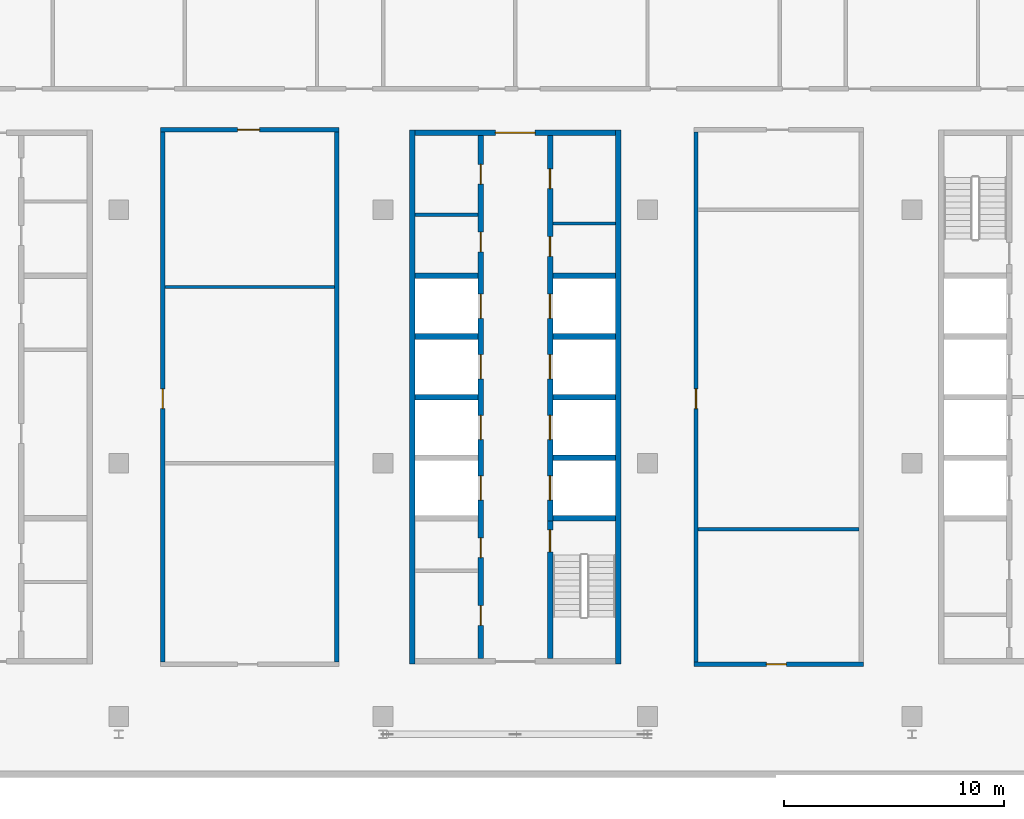
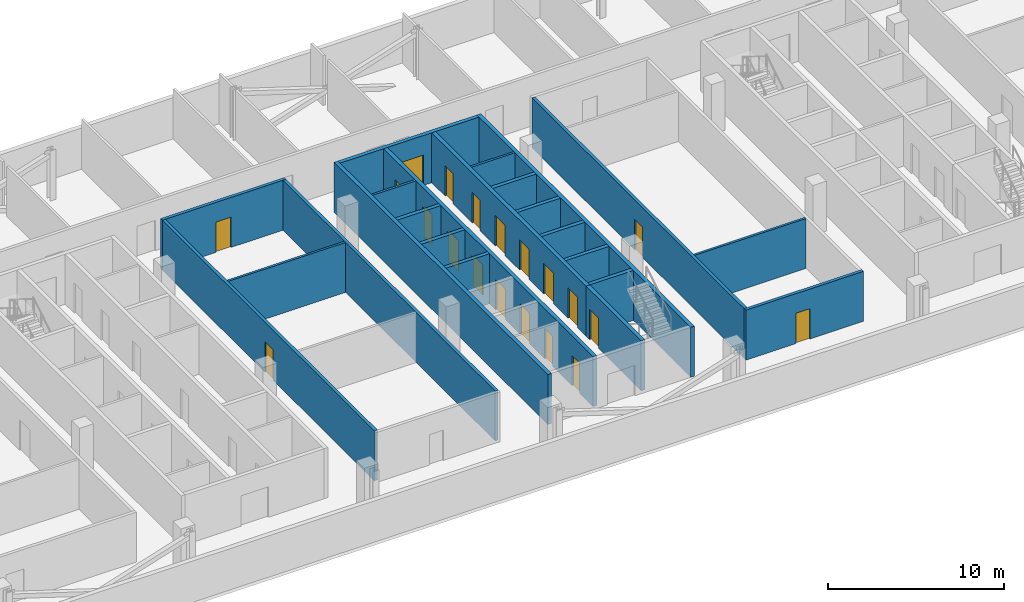
# One storey, part 14 of 30: 23 walls, 20 doors, 20 openings.
"""IFC4 building model written with IfcOpenShell, lengths in metres."""

from ifc_helpers import new_model, si_unit, direction, frame, frame_2d, origin, place, context, subcontext, project, spatial, rectangle, extrude, material, layer, layer_set, type_object, element, fill, save


model = new_model("IFC4")

# Units and contexts
model_context = context("Model", 3, precision=1e-05, world=origin(), true_north=direction((0.0, 1.0)))
body_context = subcontext(model_context, "Body", "Model", "MODEL_VIEW")
ifc_project = project(units=[si_unit("LENGTHUNIT", "METRE"), si_unit("AREAUNIT", "SQUARE_METRE"), si_unit("VOLUMEUNIT", "CUBIC_METRE"), si_unit("PLANEANGLEUNIT", "RADIAN"), si_unit("MASSUNIT", "GRAM", prefix="KILO")], contexts=[model_context])

# Site, building, storey
site_placement = place(None, origin())
site = spatial("IfcSite", under=ifc_project, at=site_placement, CompositionType="ELEMENT")
building_placement = place(site_placement, origin())
building = spatial("IfcBuilding", under=site, at=building_placement, Name="Mahtab Terrace Research Tower", CompositionType="ELEMENT")
storey_placement = place(building_placement, frame((0.0, 0.0, 263.300048828125)))
storey = spatial("IfcBuildingStorey", under=building, at=storey_placement, Name="L64", CompositionType="ELEMENT", Elevation=263.300048828125)

# Walls
ifc_material_1 = material(Name="Gypsum board partition")
ifc_layer_1 = layer(ifc_material_1, 0.14990234375)
ifc_layer_set_1 = layer_set([ifc_layer_1], Name="Core partition 150")
wall_type_1 = type_object("IfcWallType", Name="Core partition 150", PredefinedType="PARTITIONING", material=ifc_layer_set_1)
for number, where, z_axis, x_axis, name in (
    (1, (-4.550048828125, 11.27490234375, 0.0), (0.0, 0.0, 1.0), (1.0, 0.0, 0.0), "Core wall B pWN828"),
    (2, (1.699951171875, 10.875, 0.0), (0.0, 0.0, 1.0), (1.0, 0.0, 0.0), "Core wall B pEN788"),
):
    element("IfcWall", number, at=place(storey_placement, frame(where, z_axis=z_axis, x_axis=x_axis)), inside=storey, type_object=wall_type_1, Name=name, PredefinedType="PARTITIONING", context=body_context, shape_type="SweptSolid", body=[
        extrude(rectangle(XDim=2.85009765625, YDim=0.14990234375, at=frame_2d((1.425048828125, 0.0))), origin(), (0.0, 0.0, 1.0), 3.4599609375),
    ])
ifc_material_2 = material(Name="Concrete C70/85", Category="concrete")
ifc_layer_2 = layer(ifc_material_2, 0.25)
ifc_layer_set_2 = layer_set([ifc_layer_2], Name="Core wall 250")
wall_type_2 = type_object("IfcWallType", Name="Core wall 250", PredefinedType="SOLIDWALL", material=ifc_layer_set_2)
for number, where, z_axis, x_axis, name in (
    (3, (-4.675048828125, 15.125, 0.0), (0.0, 0.0, 1.0), (0.0, -1.0, 0.0), "Core wall B outerW"),
    (4, (4.675048828125, -9.125, 0.0), (0.0, 0.0, 1.0), (0.0, 1.0, 0.0), "Core wall B outerE"),
):
    element("IfcWall", number, at=place(storey_placement, frame(where, z_axis=z_axis, x_axis=x_axis)), inside=storey, type_object=wall_type_2, Name=name, PredefinedType="SOLIDWALL", context=body_context, shape_type="SweptSolid", body=[
        extrude(rectangle(XDim=24.25, YDim=0.25, at=frame_2d((12.125, 0.0))), origin(), (0.0, 0.0, 1.0), 3.4599609375),
    ])

# Wall, opening, door
wall_1_placement = place(storey_placement, frame((-4.550048828125, 15.0, 0.0), z_axis=(0.0, 0.0, 1.0), x_axis=(1.0, 0.0, 0.0)))
wall_1 = element("IfcWall", 5, at=wall_1_placement, inside=storey, type_object=wall_type_2, Name="Core wall B endN", PredefinedType="SOLIDWALL", context=body_context, shape_type="SweptSolid", body=[
    extrude(rectangle(XDim=9.10009765625, YDim=0.25, at=frame_2d((4.550048828125, 0.0))), origin(), (0.0, 0.0, 1.0), 3.4599609375),
])
opening_1_placement = place(wall_1_placement, frame((3.64990234375, 0.0, 0.0)))
opening_1 = element("IfcOpeningElement", 6, at=opening_1_placement, cuts=wall_1, Name="Opening B-N1", PredefinedType="OPENING", context=body_context, shape_type="SweptSolid", body=[
    extrude(rectangle(XDim=1.800048828125, YDim=2.10009765625, at=frame_2d((0.89990234375, 1.050048828125))), frame((0.0, 0.135009765625, 0.0), z_axis=(0.0, -1.0, 0.0), x_axis=(1.0, 0.0, 0.0)), (0.0, 0.0, 1.0), 0.27001953125),
])
ifc_material_3 = material(Name="Steel fire door", Category="steel")
door_type_1 = type_object("IfcDoorType", Name="Lobby double door 1800x2100 1 HR", OperationType="DOUBLE_DOOR_SINGLE_SWING", PredefinedType="DOOR", material=ifc_material_3)
door_1_placement = place(opening_1_placement, origin())
door_1 = element("IfcDoor", 7, at=door_1_placement, inside=storey, type_object=door_type_1, Name="Core entrance door B N", OperationType="DOUBLE_DOOR_SINGLE_SWING", OverallHeight=2.10009765625, OverallWidth=1.800048828125, PredefinedType="DOOR", context=body_context, shape_type="SweptSolid", body=[
    extrude(rectangle(XDim=1.800048828125, YDim=2.10009765625, at=frame_2d((0.89990234375, 1.050048828125))), frame((0.0, 0.02490234375, 0.0), z_axis=(0.0, -1.0, 0.0), x_axis=(1.0, 0.0, 0.0)), (0.0, 0.0, 1.0), 0.050048828125),
])
fill(opening_1, door_1)

# Wall, openings, doors
wall_2_placement = place(storey_placement, frame((-1.574951171875, -8.875, 0.0), z_axis=(0.0, 0.0, 1.0), x_axis=(0.0, 1.0, 0.0)))
wall_2 = element("IfcWall", 8, at=wall_2_placement, inside=storey, type_object=wall_type_2, Name="Core wall B innerWSLN", PredefinedType="SOLIDWALL", context=body_context, shape_type="SweptSolid", body=[
    extrude(rectangle(XDim=23.75, YDim=0.25, at=frame_2d((11.875, 0.0))), origin(), (0.0, 0.0, 1.0), 3.4599609375),
])
opening_2_placement = place(wall_2_placement, frame((7.199951171875, 0.0, 0.0)))
opening_2 = element("IfcOpeningElement", 9, at=opening_2_placement, cuts=wall_2, Name="Opening LD09-L64", PredefinedType="OPENING", context=body_context, shape_type="SweptSolid", body=[
    extrude(rectangle(XDim=1.10009765625, YDim=2.10009765625, at=frame_2d((0.550048828125, 1.050048828125))), frame((0.0, 0.135009765625, 0.0), z_axis=(0.0, -1.0, 0.0), x_axis=(1.0, 0.0, 0.0)), (0.0, 0.0, 1.0), 0.27001953125),
])
opening_3_placement = place(wall_2_placement, frame((9.949951171875, 0.0, 0.0)))
opening_3 = element("IfcOpeningElement", 10, at=opening_3_placement, cuts=wall_2, Name="Opening LD10-L64", PredefinedType="OPENING", context=body_context, shape_type="SweptSolid", body=[
    extrude(rectangle(XDim=1.10009765625, YDim=2.10009765625, at=frame_2d((0.550048828125, 1.050048828125))), frame((0.0, 0.135009765625, 0.0), z_axis=(0.0, -1.0, 0.0), x_axis=(1.0, 0.0, 0.0)), (0.0, 0.0, 1.0), 0.27001953125),
])
opening_4_placement = place(wall_2_placement, frame((12.699951171875, 0.0, 0.0)))
opening_4 = element("IfcOpeningElement", 11, at=opening_4_placement, cuts=wall_2, Name="Opening LD11-L64", PredefinedType="OPENING", context=body_context, shape_type="SweptSolid", body=[
    extrude(rectangle(XDim=1.10009765625, YDim=2.10009765625, at=frame_2d((0.550048828125, 1.050048828125))), frame((0.0, 0.135009765625, 0.0), z_axis=(0.0, -1.0, 0.0), x_axis=(1.0, 0.0, 0.0)), (0.0, 0.0, 1.0), 0.27001953125),
])
opening_5_placement = place(wall_2_placement, frame((15.449951171875, 0.0, 0.0)))
opening_5 = element("IfcOpeningElement", 12, at=opening_5_placement, cuts=wall_2, Name="Opening LD12-L64", PredefinedType="OPENING", context=body_context, shape_type="SweptSolid", body=[
    extrude(rectangle(XDim=1.10009765625, YDim=2.10009765625, at=frame_2d((0.550048828125, 1.050048828125))), frame((0.0, 0.135009765625, 0.0), z_axis=(0.0, -1.0, 0.0), x_axis=(1.0, 0.0, 0.0)), (0.0, 0.0, 1.0), 0.27001953125),
])
opening_6_placement = place(wall_2_placement, frame((1.512451171875, 0.0, 0.0)))
opening_6 = element("IfcOpeningElement", 13, at=opening_6_placement, cuts=wall_2, Name="Opening B-R1", PredefinedType="OPENING", context=body_context, shape_type="SweptSolid", body=[
    extrude(rectangle(XDim=0.89990234375, YDim=2.10009765625, at=frame_2d((0.449951171875, 1.050048828125))), frame((0.0, 0.135009765625, 0.0), z_axis=(0.0, -1.0, 0.0), x_axis=(1.0, 0.0, 0.0)), (0.0, 0.0, 1.0), 0.27001953125),
])
opening_7_placement = place(wall_2_placement, frame((4.58740234375, 0.0, 0.0)))
opening_7 = element("IfcOpeningElement", 14, at=opening_7_placement, cuts=wall_2, Name="Opening B-R2", PredefinedType="OPENING", context=body_context, shape_type="SweptSolid", body=[
    extrude(rectangle(XDim=0.89990234375, YDim=2.10009765625, at=frame_2d((0.449951171875, 1.050048828125))), frame((0.0, 0.135009765625, 0.0), z_axis=(0.0, -1.0, 0.0), x_axis=(1.0, 0.0, 0.0)), (0.0, 0.0, 1.0), 0.27001953125),
])
opening_8_placement = place(wall_2_placement, frame((18.46240234375, 0.0, 0.0)))
opening_8 = element("IfcOpeningElement", 15, at=opening_8_placement, cuts=wall_2, Name="Opening B-R3", PredefinedType="OPENING", context=body_context, shape_type="SweptSolid", body=[
    extrude(rectangle(XDim=0.89990234375, YDim=2.10009765625, at=frame_2d((0.449951171875, 1.050048828125))), frame((0.0, 0.135009765625, 0.0), z_axis=(0.0, -1.0, 0.0), x_axis=(1.0, 0.0, 0.0)), (0.0, 0.0, 1.0), 0.27001953125),
])
opening_9_placement = place(wall_2_placement, frame((21.53759765625, 0.0, 0.0)))
opening_9 = element("IfcOpeningElement", 16, at=opening_9_placement, cuts=wall_2, Name="Opening B-R4", PredefinedType="OPENING", context=body_context, shape_type="SweptSolid", body=[
    extrude(rectangle(XDim=0.89990234375, YDim=2.10009765625, at=frame_2d((0.449951171875, 1.050048828125))), frame((0.0, 0.135009765625, 0.0), z_axis=(0.0, -1.0, 0.0), x_axis=(1.0, 0.0, 0.0)), (0.0, 0.0, 1.0), 0.27001953125),
])
ifc_material_4 = material(Name="Stainless steel AISI 304", Category="steel")
door_type_2 = type_object("IfcDoorType", Name="Landing door 1100x2100", OperationType="DOUBLE_DOOR_SLIDING", PredefinedType="DOOR", material=ifc_material_4)
door_2_placement = place(opening_2_placement, origin())
door_2 = element("IfcDoor", 17, at=door_2_placement, inside=storey, type_object=door_type_2, Name="Landing door HR1 L64", OperationType="DOUBLE_DOOR_SLIDING", OverallHeight=2.10009765625, OverallWidth=1.10009765625, PredefinedType="DOOR", context=body_context, shape_type="SweptSolid", body=[
    extrude(rectangle(XDim=1.10009765625, YDim=2.10009765625, at=frame_2d((0.550048828125, 1.050048828125))), frame((0.0, 0.02490234375, 0.0), z_axis=(0.0, -1.0, 0.0), x_axis=(1.0, 0.0, 0.0)), (0.0, 0.0, 1.0), 0.050048828125),
])
fill(opening_2, door_2)
door_3_placement = place(opening_3_placement, origin())
door_3 = element("IfcDoor", 18, at=door_3_placement, inside=storey, type_object=door_type_2, Name="Landing door HR2 L64", OperationType="DOUBLE_DOOR_SLIDING", OverallHeight=2.10009765625, OverallWidth=1.10009765625, PredefinedType="DOOR", context=body_context, shape_type="SweptSolid", body=[
    extrude(rectangle(XDim=1.10009765625, YDim=2.10009765625, at=frame_2d((0.550048828125, 1.050048828125))), frame((0.0, 0.02490234375, 0.0), z_axis=(0.0, -1.0, 0.0), x_axis=(1.0, 0.0, 0.0)), (0.0, 0.0, 1.0), 0.050048828125),
])
fill(opening_3, door_3)
door_4_placement = place(opening_4_placement, origin())
door_4 = element("IfcDoor", 19, at=door_4_placement, inside=storey, type_object=door_type_2, Name="Landing door HR3 L64", OperationType="DOUBLE_DOOR_SLIDING", OverallHeight=2.10009765625, OverallWidth=1.10009765625, PredefinedType="DOOR", context=body_context, shape_type="SweptSolid", body=[
    extrude(rectangle(XDim=1.10009765625, YDim=2.10009765625, at=frame_2d((0.550048828125, 1.050048828125))), frame((0.0, 0.02490234375, 0.0), z_axis=(0.0, -1.0, 0.0), x_axis=(1.0, 0.0, 0.0)), (0.0, 0.0, 1.0), 0.050048828125),
])
fill(opening_4, door_4)
door_5_placement = place(opening_5_placement, origin())
door_5 = element("IfcDoor", 20, at=door_5_placement, inside=storey, type_object=door_type_2, Name="Landing door HR4 L64", OperationType="DOUBLE_DOOR_SLIDING", OverallHeight=2.10009765625, OverallWidth=1.10009765625, PredefinedType="DOOR", context=body_context, shape_type="SweptSolid", body=[
    extrude(rectangle(XDim=1.10009765625, YDim=2.10009765625, at=frame_2d((0.550048828125, 1.050048828125))), frame((0.0, 0.02490234375, 0.0), z_axis=(0.0, -1.0, 0.0), x_axis=(1.0, 0.0, 0.0)), (0.0, 0.0, 1.0), 0.050048828125),
])
fill(opening_5, door_5)
door_type_3 = type_object("IfcDoorType", Name="Room door 900x2100 1 HR", OperationType="NOTDEFINED", PredefinedType="DOOR", material=ifc_material_3)
door_6_placement = place(opening_6_placement, origin())
door_6 = element("IfcDoor", 21, at=door_6_placement, inside=storey, type_object=door_type_3, Name="IT equipment room door", OperationType="SINGLE_SWING_LEFT", OverallHeight=2.10009765625, OverallWidth=0.89990234375, PredefinedType="DOOR", context=body_context, shape_type="SweptSolid", body=[
    extrude(rectangle(XDim=0.89990234375, YDim=2.10009765625, at=frame_2d((0.449951171875, 1.050048828125))), frame((0.0, 0.02490234375, 0.0), z_axis=(0.0, -1.0, 0.0), x_axis=(1.0, 0.0, 0.0)), (0.0, 0.0, 1.0), 0.050048828125),
])
fill(opening_6, door_6)
door_7_placement = place(opening_7_placement, origin())
door_7 = element("IfcDoor", 22, at=door_7_placement, inside=storey, type_object=door_type_3, Name="Electrical riser room door", OperationType="SINGLE_SWING_RIGHT", OverallHeight=2.10009765625, OverallWidth=0.89990234375, PredefinedType="DOOR", context=body_context, shape_type="SweptSolid", body=[
    extrude(rectangle(XDim=0.89990234375, YDim=2.10009765625, at=frame_2d((0.449951171875, 1.050048828125))), frame((0.0, 0.02490234375, 0.0), z_axis=(0.0, -1.0, 0.0), x_axis=(1.0, 0.0, 0.0)), (0.0, 0.0, 1.0), 0.050048828125),
])
fill(opening_7, door_7)
door_8_placement = place(opening_8_placement, origin())
door_8 = element("IfcDoor", 23, at=door_8_placement, inside=storey, type_object=door_type_3, Name="Mechanical riser room door", OperationType="SINGLE_SWING_LEFT", OverallHeight=2.10009765625, OverallWidth=0.89990234375, PredefinedType="DOOR", context=body_context, shape_type="SweptSolid", body=[
    extrude(rectangle(XDim=0.89990234375, YDim=2.10009765625, at=frame_2d((0.449951171875, 1.050048828125))), frame((0.0, 0.02490234375, 0.0), z_axis=(0.0, -1.0, 0.0), x_axis=(1.0, 0.0, 0.0)), (0.0, 0.0, 1.0), 0.050048828125),
])
fill(opening_8, door_8)
door_9_placement = place(opening_9_placement, origin())
door_9 = element("IfcDoor", 24, at=door_9_placement, inside=storey, type_object=door_type_3, Name="Chemical store door", OperationType="SINGLE_SWING_RIGHT", OverallHeight=2.10009765625, OverallWidth=0.89990234375, PredefinedType="DOOR", context=body_context, shape_type="SweptSolid", body=[
    extrude(rectangle(XDim=0.89990234375, YDim=2.10009765625, at=frame_2d((0.449951171875, 1.050048828125))), frame((0.0, 0.02490234375, 0.0), z_axis=(0.0, -1.0, 0.0), x_axis=(1.0, 0.0, 0.0)), (0.0, 0.0, 1.0), 0.050048828125),
])
fill(opening_9, door_9)

# Wall, opening, door
wall_3_placement = place(storey_placement, frame((1.574951171875, -8.875, 0.0), z_axis=(0.0, 0.0, 1.0), x_axis=(0.0, 1.0, 0.0)))
wall_3 = element("IfcWall", 25, at=wall_3_placement, inside=storey, type_object=wall_type_2, Name="Core wall B innerES", PredefinedType="SOLIDWALL", context=body_context, shape_type="SweptSolid", body=[
    extrude(rectangle(XDim=6.25, YDim=0.25, at=frame_2d((3.125, 0.0))), origin(), (0.0, 0.0, 1.0), 3.4599609375),
])
opening_10_placement = place(wall_3_placement, frame((4.85009765625, 0.0, 0.0)))
opening_10 = element("IfcOpeningElement", 26, at=opening_10_placement, cuts=wall_3, Name="Opening B-ST2", PredefinedType="OPENING", context=body_context, shape_type="SweptSolid", body=[
    extrude(rectangle(XDim=1.0, YDim=2.10009765625, at=frame_2d((0.5, 1.050048828125))), frame((0.0, 0.135009765625, 0.0), z_axis=(0.0, -1.0, 0.0), x_axis=(1.0, 0.0, 0.0)), (0.0, 0.0, 1.0), 0.27001953125),
])
door_type_4 = type_object("IfcDoorType", Name="Stair door 1000x2100 1.5 HR", OperationType="NOTDEFINED", PredefinedType="DOOR", material=ifc_material_3)
door_10_placement = place(opening_10_placement, origin())
door_10 = element("IfcDoor", 27, at=door_10_placement, inside=storey, type_object=door_type_4, Name="Stair door ST2 L64", OperationType="SINGLE_SWING_LEFT", OverallHeight=2.10009765625, OverallWidth=1.0, PredefinedType="DOOR", context=body_context, shape_type="SweptSolid", body=[
    extrude(rectangle(XDim=1.0, YDim=2.10009765625, at=frame_2d((0.5, 1.050048828125))), frame((0.0, 0.02490234375, 0.0), z_axis=(0.0, -1.0, 0.0), x_axis=(1.0, 0.0, 0.0)), (0.0, 0.0, 1.0), 0.050048828125),
])
fill(opening_10, door_10)

# Wall, openings, doors
wall_4_placement = place(storey_placement, frame((1.574951171875, 14.875, 0.0), z_axis=(0.0, 0.0, 1.0), x_axis=(0.0, -1.0, 0.0)))
wall_4 = element("IfcWall", 28, at=wall_4_placement, inside=storey, type_object=wall_type_2, Name="Core wall B innerELN", PredefinedType="SOLIDWALL", context=body_context, shape_type="SweptSolid", body=[
    extrude(rectangle(XDim=17.5, YDim=0.25, at=frame_2d((8.75, 0.0))), origin(), (0.0, 0.0, 1.0), 3.4599609375),
])
opening_11_placement = place(wall_4_placement, frame((15.449951171875, 0.0, 0.0)))
opening_11 = element("IfcOpeningElement", 29, at=opening_11_placement, cuts=wall_4, Name="Opening LD13-L64", PredefinedType="OPENING", context=body_context, shape_type="SweptSolid", body=[
    extrude(rectangle(XDim=1.10009765625, YDim=2.10009765625, at=frame_2d((0.550048828125, 1.050048828125))), frame((0.0, 0.135009765625, 0.0), z_axis=(0.0, -1.0, 0.0), x_axis=(1.0, 0.0, 0.0)), (0.0, 0.0, 1.0), 0.27001953125),
])
opening_12_placement = place(wall_4_placement, frame((12.699951171875, 0.0, 0.0)))
opening_12 = element("IfcOpeningElement", 30, at=opening_12_placement, cuts=wall_4, Name="Opening LD14-L64", PredefinedType="OPENING", context=body_context, shape_type="SweptSolid", body=[
    extrude(rectangle(XDim=1.10009765625, YDim=2.10009765625, at=frame_2d((0.550048828125, 1.050048828125))), frame((0.0, 0.135009765625, 0.0), z_axis=(0.0, -1.0, 0.0), x_axis=(1.0, 0.0, 0.0)), (0.0, 0.0, 1.0), 0.27001953125),
])
opening_13_placement = place(wall_4_placement, frame((9.949951171875, 0.0, 0.0)))
opening_13 = element("IfcOpeningElement", 31, at=opening_13_placement, cuts=wall_4, Name="Opening LD15-L64", PredefinedType="OPENING", context=body_context, shape_type="SweptSolid", body=[
    extrude(rectangle(XDim=1.10009765625, YDim=2.10009765625, at=frame_2d((0.550048828125, 1.050048828125))), frame((0.0, 0.135009765625, 0.0), z_axis=(0.0, -1.0, 0.0), x_axis=(1.0, 0.0, 0.0)), (0.0, 0.0, 1.0), 0.27001953125),
])
opening_14_placement = place(wall_4_placement, frame((7.199951171875, 0.0, 0.0)))
opening_14 = element("IfcOpeningElement", 32, at=opening_14_placement, cuts=wall_4, Name="Opening LD16-L64", PredefinedType="OPENING", context=body_context, shape_type="SweptSolid", body=[
    extrude(rectangle(XDim=1.10009765625, YDim=2.10009765625, at=frame_2d((0.550048828125, 1.050048828125))), frame((0.0, 0.135009765625, 0.0), z_axis=(0.0, -1.0, 0.0), x_axis=(1.0, 0.0, 0.0)), (0.0, 0.0, 1.0), 0.27001953125),
])
opening_15_placement = place(wall_4_placement, frame((4.58740234375, 0.0, 0.0)))
opening_15 = element("IfcOpeningElement", 33, at=opening_15_placement, cuts=wall_4, Name="Opening B-R5", PredefinedType="OPENING", context=body_context, shape_type="SweptSolid", body=[
    extrude(rectangle(XDim=0.89990234375, YDim=2.10009765625, at=frame_2d((0.449951171875, 1.050048828125))), frame((0.0, 0.135009765625, 0.0), z_axis=(0.0, -1.0, 0.0), x_axis=(1.0, 0.0, 0.0)), (0.0, 0.0, 1.0), 0.27001953125),
])
opening_16_placement = place(wall_4_placement, frame((1.512451171875, 0.0, 0.0)))
opening_16 = element("IfcOpeningElement", 34, at=opening_16_placement, cuts=wall_4, Name="Opening B-R6", PredefinedType="OPENING", context=body_context, shape_type="SweptSolid", body=[
    extrude(rectangle(XDim=0.89990234375, YDim=2.10009765625, at=frame_2d((0.449951171875, 1.050048828125))), frame((0.0, 0.135009765625, 0.0), z_axis=(0.0, -1.0, 0.0), x_axis=(1.0, 0.0, 0.0)), (0.0, 0.0, 1.0), 0.27001953125),
])
door_11_placement = place(opening_11_placement, origin())
door_11 = element("IfcDoor", 35, at=door_11_placement, inside=storey, type_object=door_type_2, Name="Landing door HR5 L64", OperationType="DOUBLE_DOOR_SLIDING", OverallHeight=2.10009765625, OverallWidth=1.10009765625, PredefinedType="DOOR", context=body_context, shape_type="SweptSolid", body=[
    extrude(rectangle(XDim=1.10009765625, YDim=2.10009765625, at=frame_2d((0.550048828125, 1.050048828125))), frame((0.0, 0.02490234375, 0.0), z_axis=(0.0, -1.0, 0.0), x_axis=(1.0, 0.0, 0.0)), (0.0, 0.0, 1.0), 0.050048828125),
])
fill(opening_11, door_11)
door_12_placement = place(opening_12_placement, origin())
door_12 = element("IfcDoor", 36, at=door_12_placement, inside=storey, type_object=door_type_2, Name="Landing door HR6 L64", OperationType="DOUBLE_DOOR_SLIDING", OverallHeight=2.10009765625, OverallWidth=1.10009765625, PredefinedType="DOOR", context=body_context, shape_type="SweptSolid", body=[
    extrude(rectangle(XDim=1.10009765625, YDim=2.10009765625, at=frame_2d((0.550048828125, 1.050048828125))), frame((0.0, 0.02490234375, 0.0), z_axis=(0.0, -1.0, 0.0), x_axis=(1.0, 0.0, 0.0)), (0.0, 0.0, 1.0), 0.050048828125),
])
fill(opening_12, door_12)
door_13_placement = place(opening_13_placement, origin())
door_13 = element("IfcDoor", 37, at=door_13_placement, inside=storey, type_object=door_type_2, Name="Landing door HR7 L64", OperationType="DOUBLE_DOOR_SLIDING", OverallHeight=2.10009765625, OverallWidth=1.10009765625, PredefinedType="DOOR", context=body_context, shape_type="SweptSolid", body=[
    extrude(rectangle(XDim=1.10009765625, YDim=2.10009765625, at=frame_2d((0.550048828125, 1.050048828125))), frame((0.0, 0.02490234375, 0.0), z_axis=(0.0, -1.0, 0.0), x_axis=(1.0, 0.0, 0.0)), (0.0, 0.0, 1.0), 0.050048828125),
])
fill(opening_13, door_13)
door_14_placement = place(opening_14_placement, origin())
door_14 = element("IfcDoor", 38, at=door_14_placement, inside=storey, type_object=door_type_2, Name="Landing door HR8 L64", OperationType="DOUBLE_DOOR_SLIDING", OverallHeight=2.10009765625, OverallWidth=1.10009765625, PredefinedType="DOOR", context=body_context, shape_type="SweptSolid", body=[
    extrude(rectangle(XDim=1.10009765625, YDim=2.10009765625, at=frame_2d((0.550048828125, 1.050048828125))), frame((0.0, 0.02490234375, 0.0), z_axis=(0.0, -1.0, 0.0), x_axis=(1.0, 0.0, 0.0)), (0.0, 0.0, 1.0), 0.050048828125),
])
fill(opening_14, door_14)
door_15_placement = place(opening_15_placement, origin())
door_15 = element("IfcDoor", 39, at=door_15_placement, inside=storey, type_object=door_type_3, Name="Accessible WC door", OperationType="SINGLE_SWING_LEFT", OverallHeight=2.10009765625, OverallWidth=0.89990234375, PredefinedType="DOOR", context=body_context, shape_type="SweptSolid", body=[
    extrude(rectangle(XDim=0.89990234375, YDim=2.10009765625, at=frame_2d((0.449951171875, 1.050048828125))), frame((0.0, 0.02490234375, 0.0), z_axis=(0.0, -1.0, 0.0), x_axis=(1.0, 0.0, 0.0)), (0.0, 0.0, 1.0), 0.050048828125),
])
fill(opening_15, door_15)
door_16_placement = place(opening_16_placement, origin())
door_16 = element("IfcDoor", 40, at=door_16_placement, inside=storey, type_object=door_type_3, Name="WC block door", OperationType="SINGLE_SWING_RIGHT", OverallHeight=2.10009765625, OverallWidth=0.89990234375, PredefinedType="DOOR", context=body_context, shape_type="SweptSolid", body=[
    extrude(rectangle(XDim=0.89990234375, YDim=2.10009765625, at=frame_2d((0.449951171875, 1.050048828125))), frame((0.0, 0.02490234375, 0.0), z_axis=(0.0, -1.0, 0.0), x_axis=(1.0, 0.0, 0.0)), (0.0, 0.0, 1.0), 0.050048828125),
])
fill(opening_16, door_16)

# Walls
for number, where, z_axis, x_axis, name in (
    (41, (-4.550048828125, 3.0, 0.0), (0.0, 0.0, 1.0), (1.0, 0.0, 0.0), "Core wall B divW2"),
    (42, (-4.550048828125, 5.75, 0.0), (0.0, 0.0, 1.0), (1.0, 0.0, 0.0), "Core wall B divW3"),
    (43, (-4.550048828125, 8.5, 0.0), (0.0, 0.0, 1.0), (1.0, 0.0, 0.0), "Core wall B divW4"),
    (44, (1.699951171875, -2.5, 0.0), (0.0, 0.0, 1.0), (1.0, 0.0, 0.0), "Core wall B divE0"),
    (45, (1.699951171875, 0.25, 0.0), (0.0, 0.0, 1.0), (1.0, 0.0, 0.0), "Core wall B divE1"),
    (46, (1.699951171875, 3.0, 0.0), (0.0, 0.0, 1.0), (1.0, 0.0, 0.0), "Core wall B divE2"),
    (47, (1.699951171875, 5.75, 0.0), (0.0, 0.0, 1.0), (1.0, 0.0, 0.0), "Core wall B divE3"),
    (48, (1.699951171875, 8.5, 0.0), (0.0, 0.0, 1.0), (1.0, 0.0, 0.0), "Core wall B divE4"),
):
    element("IfcWall", number, at=place(storey_placement, frame(where, z_axis=z_axis, x_axis=x_axis)), inside=storey, type_object=wall_type_2, Name=name, PredefinedType="SOLIDWALL", context=body_context, shape_type="SweptSolid", body=[
        extrude(rectangle(XDim=2.85009765625, YDim=0.25, at=frame_2d((1.425048828125, 0.0))), origin(), (0.0, 0.0, 1.0), 3.4599609375),
    ])

# Wall, opening, door
ifc_material_5 = material(Name="Gypsum board corridor wall on steel studs", Category="steel")
ifc_layer_3 = layer(ifc_material_5, 0.199951171875)
ifc_layer_set_3 = layer_set([ifc_layer_3], Name="WALL CORRIDOR 200")
wall_type_3 = type_object("IfcWallType", Name="WALL CORRIDOR 200", PredefinedType="PARTITIONING", material=ifc_layer_set_3)
wall_5_placement = place(storey_placement, frame((8.10009765625, -9.125, 0.0), z_axis=(0.0, 0.0, 1.0), x_axis=(1.0, 0.0, 0.0)))
wall_5 = element("IfcWall", 49, at=wall_5_placement, inside=storey, type_object=wall_type_3, Name="L64-W003", PredefinedType="PARTITIONING", context=body_context, shape_type="SweptSolid", body=[
    extrude(rectangle(XDim=7.699951171875, YDim=0.199951171875, at=frame_2d((3.85009765625, 0.0))), origin(), (0.0, 0.0, 1.0), 3.4599609375),
])
opening_17_placement = place(wall_5_placement, frame((3.300048828125, 0.0, 0.0)))
opening_17 = element("IfcOpeningElement", 50, at=opening_17_placement, cuts=wall_5, Name="Opening L64-102", PredefinedType="OPENING", context=body_context, shape_type="SweptSolid", body=[
    extrude(rectangle(XDim=0.89990234375, YDim=2.10009765625, at=frame_2d((0.449951171875, 1.050048828125))), frame((0.0, 0.10986328125, 0.0), z_axis=(0.0, -1.0, 0.0), x_axis=(1.0, 0.0, 0.0)), (0.0, 0.0, 1.0), 0.219970703125),
])
ifc_material_6 = material(Name="Timber door leaf in steel frame", Category="steel")
door_type_5 = type_object("IfcDoorType", Name="DOOR 0900X2100 FD30S", OperationType="SINGLE_SWING_LEFT", PredefinedType="DOOR", material=ifc_material_6)
door_17_placement = place(opening_17_placement, origin())
door_17 = element("IfcDoor", 51, at=door_17_placement, inside=storey, type_object=door_type_5, Name="Door L64-102", OperationType="SINGLE_SWING_LEFT", OverallHeight=2.10009765625, OverallWidth=0.89990234375, PredefinedType="DOOR", context=body_context, shape_type="SweptSolid", body=[
    extrude(rectangle(XDim=0.89990234375, YDim=2.10009765625, at=frame_2d((0.449951171875, 1.050048828125))), frame((0.0, 0.02490234375, 0.0), z_axis=(0.0, -1.0, 0.0), x_axis=(1.0, 0.0, 0.0)), (0.0, 0.0, 1.0), 0.050048828125),
])
fill(opening_17, door_17)

wall_6_placement = place(storey_placement, frame((-16.10009765625, 15.125, 0.0), z_axis=(0.0, 0.0, 1.0), x_axis=(1.0, 0.0, 0.0)))
wall_6 = element("IfcWall", 52, at=wall_6_placement, inside=storey, type_object=wall_type_3, Name="L64-W016", PredefinedType="PARTITIONING", context=body_context, shape_type="SweptSolid", body=[
    extrude(rectangle(XDim=8.10009765625, YDim=0.199951171875, at=frame_2d((4.050048828125, 0.0))), origin(), (0.0, 0.0, 1.0), 3.4599609375),
])
opening_18_placement = place(wall_6_placement, frame((3.5, 0.0, 0.0)))
opening_18 = element("IfcOpeningElement", 53, at=opening_18_placement, cuts=wall_6, Name="Opening L64-109", PredefinedType="OPENING", context=body_context, shape_type="SweptSolid", body=[
    extrude(rectangle(XDim=1.0, YDim=2.10009765625, at=frame_2d((0.5, 1.050048828125))), frame((0.0, 0.10986328125, 0.0), z_axis=(0.0, -1.0, 0.0), x_axis=(1.0, 0.0, 0.0)), (0.0, 0.0, 1.0), 0.219970703125),
])
door_type_6 = type_object("IfcDoorType", Name="DOOR 1000X2100 FD30S", OperationType="SINGLE_SWING_LEFT", PredefinedType="DOOR", material=ifc_material_6)
door_18_placement = place(opening_18_placement, origin())
door_18 = element("IfcDoor", 54, at=door_18_placement, inside=storey, type_object=door_type_6, Name="Door L64-109", OperationType="SINGLE_SWING_RIGHT", OverallHeight=2.10009765625, OverallWidth=1.0, PredefinedType="DOOR", context=body_context, shape_type="SweptSolid", body=[
    extrude(rectangle(XDim=1.0, YDim=2.10009765625, at=frame_2d((0.5, 1.050048828125))), frame((0.0, 0.02490234375, 0.0), z_axis=(0.0, -1.0, 0.0), x_axis=(1.0, 0.0, 0.0)), (0.0, 0.0, 1.0), 0.050048828125),
])
fill(opening_18, door_18)

wall_7_placement = place(storey_placement, frame((-16.0, -9.02490234375, 0.0), z_axis=(0.0, 0.0, 1.0), x_axis=(0.0, 1.0, 0.0)))
wall_7 = element("IfcWall", 55, at=wall_7_placement, inside=storey, type_object=wall_type_3, Name="L64-W027", PredefinedType="PARTITIONING", context=body_context, shape_type="SweptSolid", body=[
    extrude(rectangle(XDim=24.0498046875, YDim=0.199951171875, at=frame_2d((12.02490234375, 0.0))), origin(), (0.0, 0.0, 1.0), 3.4599609375),
])
opening_19_placement = place(wall_7_placement, frame((11.5, 0.0, 0.0)))
opening_19 = element("IfcOpeningElement", 56, at=opening_19_placement, cuts=wall_7, Name="Opening L64-106", PredefinedType="OPENING", context=body_context, shape_type="SweptSolid", body=[
    extrude(rectangle(XDim=0.89990234375, YDim=2.10009765625, at=frame_2d((0.449951171875, 1.050048828125))), frame((0.0, 0.10986328125, 0.0), z_axis=(0.0, -1.0, 0.0), x_axis=(1.0, 0.0, 0.0)), (0.0, 0.0, 1.0), 0.219970703125),
])
door_19_placement = place(opening_19_placement, origin())
door_19 = element("IfcDoor", 57, at=door_19_placement, inside=storey, type_object=door_type_5, Name="Door L64-106", OperationType="SINGLE_SWING_RIGHT", OverallHeight=2.10009765625, OverallWidth=0.89990234375, PredefinedType="DOOR", context=body_context, shape_type="SweptSolid", body=[
    extrude(rectangle(XDim=0.89990234375, YDim=2.10009765625, at=frame_2d((0.449951171875, 1.050048828125))), frame((0.0, 0.02490234375, 0.0), z_axis=(0.0, -1.0, 0.0), x_axis=(1.0, 0.0, 0.0)), (0.0, 0.0, 1.0), 0.050048828125),
])
fill(opening_19, door_19)

# Wall
wall_8_placement = place(storey_placement, frame((-8.10009765625, -9.02490234375, 0.0), z_axis=(0.0, 0.0, 1.0), x_axis=(0.0, 1.0, 0.0)))
element("IfcWall", 58, at=wall_8_placement, inside=storey, type_object=wall_type_3, Name="L64-W030", PredefinedType="PARTITIONING", context=body_context, shape_type="SweptSolid", body=[
    extrude(rectangle(XDim=24.0498046875, YDim=0.199951171875, at=frame_2d((12.02490234375, 0.0))), origin(), (0.0, 0.0, 1.0), 3.4599609375),
])

# Wall, opening, door
wall_9_placement = place(storey_placement, frame((8.199951171875, -9.02490234375, 0.0), z_axis=(0.0, 0.0, 1.0), x_axis=(0.0, 1.0, 0.0)))
wall_9 = element("IfcWall", 59, at=wall_9_placement, inside=storey, type_object=wall_type_3, Name="L64-W035", PredefinedType="PARTITIONING", context=body_context, shape_type="SweptSolid", body=[
    extrude(rectangle(XDim=24.0498046875, YDim=0.199951171875, at=frame_2d((12.02490234375, 0.0))), origin(), (0.0, 0.0, 1.0), 3.4599609375),
])
opening_20_placement = place(wall_9_placement, frame((11.5, 0.0, 0.0)))
opening_20 = element("IfcOpeningElement", 60, at=opening_20_placement, cuts=wall_9, Name="Opening L64-107", PredefinedType="OPENING", context=body_context, shape_type="SweptSolid", body=[
    extrude(rectangle(XDim=0.89990234375, YDim=2.10009765625, at=frame_2d((0.449951171875, 1.050048828125))), frame((0.0, 0.10986328125, 0.0), z_axis=(0.0, -1.0, 0.0), x_axis=(1.0, 0.0, 0.0)), (0.0, 0.0, 1.0), 0.219970703125),
])
door_20_placement = place(opening_20_placement, origin())
door_20 = element("IfcDoor", 61, at=door_20_placement, inside=storey, type_object=door_type_5, Name="Door L64-107", OperationType="SINGLE_SWING_RIGHT", OverallHeight=2.10009765625, OverallWidth=0.89990234375, PredefinedType="DOOR", context=body_context, shape_type="SweptSolid", body=[
    extrude(rectangle(XDim=0.89990234375, YDim=2.10009765625, at=frame_2d((0.449951171875, 1.050048828125))), frame((0.0, 0.02490234375, 0.0), z_axis=(0.0, -1.0, 0.0), x_axis=(1.0, 0.0, 0.0)), (0.0, 0.0, 1.0), 0.050048828125),
])
fill(opening_20, door_20)

# Walls
ifc_material_7 = material(Name="Gypsum board partition on steel studs", Category="steel")
ifc_layer_4 = layer(ifc_material_7, 0.14990234375)
ifc_layer_set_4 = layer_set([ifc_layer_4], Name="WALL PARTITION 150")
wall_type_4 = type_object("IfcWallType", Name="WALL PARTITION 150", PredefinedType="PARTITIONING", material=ifc_layer_set_4)
wall_10_placement = place(storey_placement, frame((8.300048828125, -3.0, 0.0), z_axis=(0.0, 0.0, 1.0), x_axis=(1.0, 0.0, 0.0)))
element("IfcWall", 62, at=wall_10_placement, inside=storey, type_object=wall_type_4, Name="L64-W006", PredefinedType="PARTITIONING", context=body_context, shape_type="SweptSolid", body=[
    extrude(rectangle(XDim=7.300048828125, YDim=0.14990234375, at=frame_2d((3.64990234375, 0.0))), origin(), (0.0, 0.0, 1.0), 3.4599609375),
])
wall_11_placement = place(storey_placement, frame((-15.89990234375, 8.0, 0.0), z_axis=(0.0, 0.0, 1.0), x_axis=(1.0, 0.0, 0.0)))
element("IfcWall", 63, at=wall_11_placement, inside=storey, type_object=wall_type_4, Name="L64-W010", PredefinedType="PARTITIONING", context=body_context, shape_type="SweptSolid", body=[
    extrude(rectangle(XDim=7.699951171875, YDim=0.14990234375, at=frame_2d((3.85009765625, 0.0))), origin(), (0.0, 0.0, 1.0), 3.4599609375),
])

save(model, "model.ifc")
